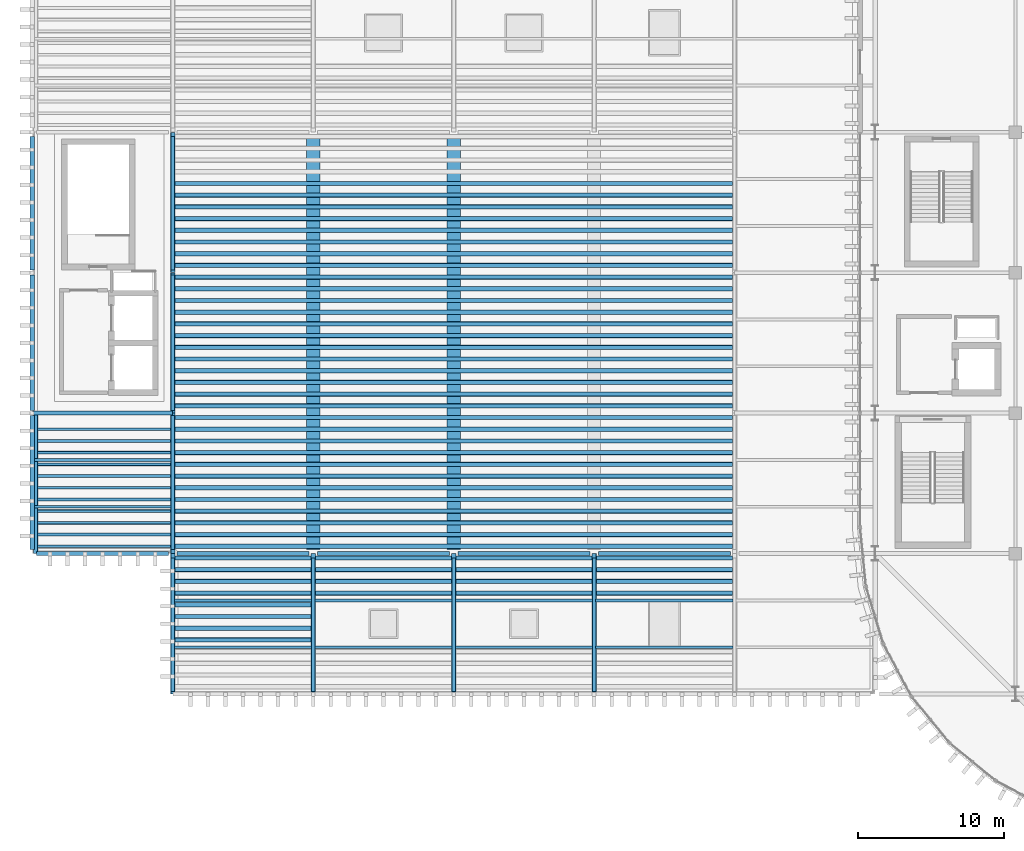
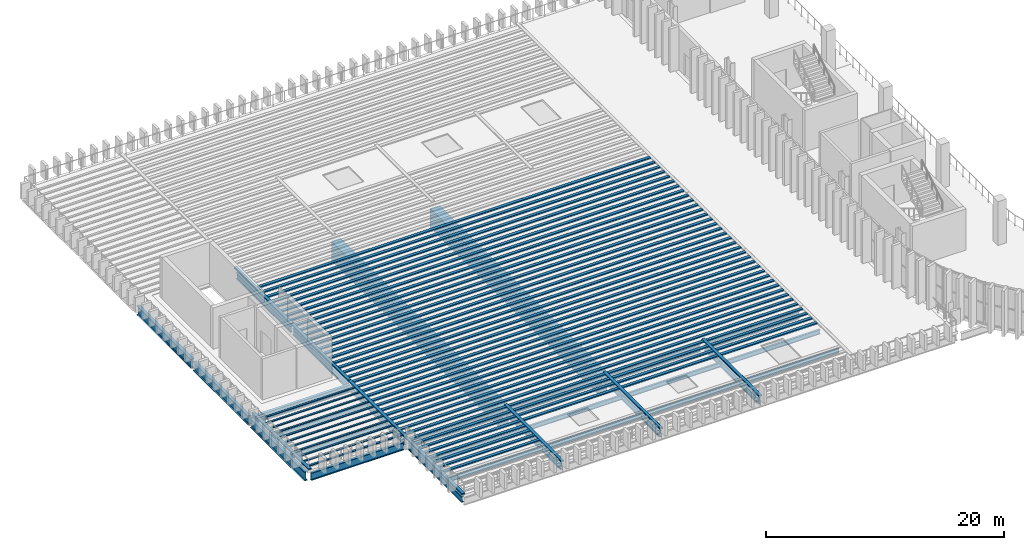
# One storey, part 8 of 92: 71 members, 28 beams.
"""IFC4 building model written with IfcOpenShell, lengths in metres."""

from ifc_helpers import new_model, si_unit, direction, frame, origin, origin_2d, place, context, subcontext, project, spatial, rectangle, hollow_rectangle, i_section, extrude, material, material_profile, profile_set, type_object, element, save


model = new_model("IFC4")

# Units and contexts
model_context = context("Model", 3, precision=1e-05, world=origin(), true_north=direction((0.0, 1.0)))
body_context = subcontext(model_context, "Body", "Model", "MODEL_VIEW")
ifc_project = project(units=[si_unit("LENGTHUNIT", "METRE"), si_unit("AREAUNIT", "SQUARE_METRE"), si_unit("VOLUMEUNIT", "CUBIC_METRE"), si_unit("PLANEANGLEUNIT", "RADIAN"), si_unit("MASSUNIT", "GRAM", prefix="KILO")], contexts=[model_context])

# Site, building, storey
site_placement = place(None, origin())
site = spatial("IfcSite", under=ifc_project, at=site_placement, CompositionType="ELEMENT")
building_placement = place(site_placement, origin())
building = spatial("IfcBuilding", under=site, at=building_placement, Name="Caelomonte Colonnade Arena", CompositionType="ELEMENT")
storey_placement = place(building_placement, frame((0.0, 0.0, 9.60009765625)))
storey = spatial("IfcBuildingStorey", under=building, at=storey_placement, Name="L02", CompositionType="ELEMENT", Elevation=9.60009765625)

# Beams
ifc_material_1 = material(Name="Wide-flange steel ASTM A992 Grade 50", Category="steel")
ifc_material_profile_1 = material_profile(ifc_material_1, i_section(OverallWidth=0.307861328125, OverallDepth=0.927001953125, WebThickness=0.019287109375, FlangeThickness=0.031982421875, FilletRadius=0.020263671875, at=origin_2d()), Name="W36X194")
ifc_profile_set_1 = profile_set([ifc_material_profile_1], Name="Wide-flange steel ASTM A992 Grade 50")
beam_type_1 = type_object("IfcBeamType", Name="STR-BM-EAVES2", PredefinedType="SPANDREL", material=ifc_profile_set_1)
beam_1_placement = place(storey_placement, frame((0.0, 38.69189453125, -0.74365234375), z_axis=(0.0, 1.0, 0.0), x_axis=(-1.0, 0.0, 0.0)))
element("IfcBeam", 1, at=beam_1_placement, inside=storey, type_object=beam_type_1, Name="L02 girder BMY-L02-0000-0384", PredefinedType="SPANDREL", context=body_context, shape_type="SweptSolid", body=[
    extrude(i_section(OverallWidth=0.307861328125, OverallDepth=0.927001953125, WebThickness=0.019287109375, FlangeThickness=0.031982421875, FilletRadius=0.020263671875, at=origin_2d()), origin(), (0.0, 0.0, 1.0), 9.137939453125),
])
beam_2_placement = place(storey_placement, frame((0.0, 48.170166015625, -0.74365234375), z_axis=(0.0, 1.0, 0.0), x_axis=(-1.0, 0.0, 0.0)))
element("IfcBeam", 2, at=beam_2_placement, inside=storey, type_object=beam_type_1, Name="L02 girder BMY-L02-0000-0480", PredefinedType="SPANDREL", context=body_context, shape_type="SweptSolid", body=[
    extrude(i_section(OverallWidth=0.307861328125, OverallDepth=0.927001953125, WebThickness=0.019287109375, FlangeThickness=0.031982421875, FilletRadius=0.020263671875, at=origin_2d()), origin(), (0.0, 0.0, 1.0), 9.259765625),
])
beam_3_placement = place(storey_placement, frame((0.0, 57.77001953125, -0.74365234375), z_axis=(0.0, 1.0, 0.0), x_axis=(-1.0, 0.0, 0.0)))
element("IfcBeam", 3, at=beam_3_placement, inside=storey, type_object=beam_type_1, Name="L02 girder BMY-L02-0000-0576", PredefinedType="SPANDREL", context=body_context, shape_type="SweptSolid", body=[
    extrude(i_section(OverallWidth=0.307861328125, OverallDepth=0.927001953125, WebThickness=0.019287109375, FlangeThickness=0.031982421875, FilletRadius=0.020263671875, at=origin_2d()), origin(), (0.0, 0.0, 1.0), 9.137939453125),
])
ifc_material_profile_2 = material_profile(ifc_material_1, i_section(OverallWidth=0.228271484375, OverallDepth=0.607177734375, WebThickness=0.01123046875, FlangeThickness=0.017333984375, FilletRadius=0.0126953125, at=origin_2d()), Name="W24X76")
ifc_profile_set_2 = profile_set([ifc_material_profile_2], Name="Wide-flange steel ASTM A992 Grade 50")
beam_type_2 = type_object("IfcBeamType", Name="STR-BM-GIRD24", PredefinedType="BEAM", material=ifc_profile_set_2)
beam_4_placement = place(storey_placement, frame((9.60009765625, 28.97021484375, -0.58349609375), z_axis=(0.0, 1.0, 0.0), x_axis=(-1.0, 0.0, 0.0)))
element("IfcBeam", 4, at=beam_4_placement, inside=storey, type_object=beam_type_2, Name="L02 girder BMY-L02-0096-0288", PredefinedType="BEAM", context=body_context, shape_type="SweptSolid", body=[
    extrude(i_section(OverallWidth=0.228271484375, OverallDepth=0.607177734375, WebThickness=0.01123046875, FlangeThickness=0.017333984375, FilletRadius=0.0126953125, at=origin_2d()), origin(), (0.0, 0.0, 1.0), 9.1376953125),
])
beam_5_placement = place(storey_placement, frame((9.60009765625, 38.69189453125, -0.58349609375), z_axis=(0.0, 1.0, 0.0), x_axis=(-1.0, 0.0, 0.0)))
element("IfcBeam", 5, at=beam_5_placement, inside=storey, type_object=beam_type_2, Name="L02 girder BMY-L02-0096-0384", PredefinedType="BEAM", context=body_context, shape_type="SweptSolid", body=[
    extrude(i_section(OverallWidth=0.228271484375, OverallDepth=0.607177734375, WebThickness=0.01123046875, FlangeThickness=0.017333984375, FilletRadius=0.0126953125, at=origin_2d()), origin(), (0.0, 0.0, 1.0), 9.137939453125),
])
beam_6_placement = place(storey_placement, frame((9.60009765625, 48.170166015625, -0.58349609375), z_axis=(0.0, 1.0, 0.0), x_axis=(-1.0, 0.0, 0.0)))
element("IfcBeam", 6, at=beam_6_placement, inside=storey, type_object=beam_type_2, Name="L02 girder BMY-L02-0096-0480", PredefinedType="BEAM", context=body_context, shape_type="SweptSolid", body=[
    extrude(i_section(OverallWidth=0.228271484375, OverallDepth=0.607177734375, WebThickness=0.01123046875, FlangeThickness=0.017333984375, FilletRadius=0.0126953125, at=origin_2d()), origin(), (0.0, 0.0, 1.0), 9.259765625),
])
beam_7_placement = place(storey_placement, frame((9.60009765625, 57.77001953125, -0.58349609375), z_axis=(0.0, 1.0, 0.0), x_axis=(-1.0, 0.0, 0.0)))
element("IfcBeam", 7, at=beam_7_placement, inside=storey, type_object=beam_type_2, Name="L02 girder BMY-L02-0096-0576", PredefinedType="BEAM", context=body_context, shape_type="SweptSolid", body=[
    extrude(i_section(OverallWidth=0.228271484375, OverallDepth=0.607177734375, WebThickness=0.01123046875, FlangeThickness=0.017333984375, FilletRadius=0.0126953125, at=origin_2d()), origin(), (0.0, 0.0, 1.0), 9.137939453125),
])
for number, where, z_axis, x_axis, name in (
    (8, (19.199951171875, 28.97021484375, -0.58349609375), (0.0, 1.0, 0.0), (-1.0, 0.0, 0.0), "L02 girder BMY-L02-0192-0288"),
    (9, (28.800048828125, 28.97021484375, -0.58349609375), (0.0, 1.0, 0.0), (-1.0, 0.0, 0.0), "L02 girder BMY-L02-0288-0288"),
    (10, (38.39990234375, 28.97021484375, -0.58349609375), (0.0, 1.0, 0.0), (-1.0, 0.0, 0.0), "L02 girder BMY-L02-0384-0288"),
):
    element("IfcBeam", number, at=place(storey_placement, frame(where, z_axis=z_axis, x_axis=x_axis)), inside=storey, type_object=beam_type_2, Name=name, PredefinedType="BEAM", context=body_context, shape_type="SweptSolid", body=[
        extrude(i_section(OverallWidth=0.228271484375, OverallDepth=0.607177734375, WebThickness=0.01123046875, FlangeThickness=0.017333984375, FilletRadius=0.0126953125, at=origin_2d()), origin(), (0.0, 0.0, 1.0), 9.1376953125),
    ])
ifc_material_profile_3 = material_profile(ifc_material_1, i_section(OverallWidth=0.2666015625, OverallDepth=0.761962890625, WebThickness=0.014404296875, FlangeThickness=0.021484375, FilletRadius=0.0166015625, at=origin_2d()), Name="W30X116")
ifc_profile_set_3 = profile_set([ifc_material_profile_3], Name="Wide-flange steel ASTM A992 Grade 50")
beam_type_3 = type_object("IfcBeamType", Name="STR-BM-GIRD30", PredefinedType="BEAM", material=ifc_profile_set_3)
beam_8_placement = place(storey_placement, frame((0.2919921875, 38.39990234375, -0.6611328125), z_axis=(1.0, 0.0, 0.0), x_axis=(0.0, 1.0, 0.0)))
element("IfcBeam", 11, at=beam_8_placement, inside=storey, type_object=beam_type_3, Name="L02 girder BMX-L02-0000-0384", PredefinedType="BEAM", context=body_context, shape_type="SweptSolid", body=[
    extrude(i_section(OverallWidth=0.2666015625, OverallDepth=0.761962890625, WebThickness=0.014404296875, FlangeThickness=0.021484375, FilletRadius=0.0166015625, at=origin_2d()), origin(), (0.0, 0.0, 1.0), 9.01611328125),
])
beam_9_placement = place(storey_placement, frame((9.89208984375, 38.39990234375, -0.6611328125), z_axis=(1.0, 0.0, 0.0), x_axis=(0.0, 1.0, 0.0)))
element("IfcBeam", 12, at=beam_9_placement, inside=storey, type_object=beam_type_3, Name="L02 girder BMX-L02-0096-0384", PredefinedType="BEAM", context=body_context, shape_type="SweptSolid", body=[
    extrude(i_section(OverallWidth=0.2666015625, OverallDepth=0.761962890625, WebThickness=0.014404296875, FlangeThickness=0.021484375, FilletRadius=0.0166015625, at=origin_2d()), origin(), (0.0, 0.0, 1.0), 9.015869140625),
])
beam_10_placement = place(storey_placement, frame((19.491943359375, 38.39990234375, -0.6611328125), z_axis=(1.0, 0.0, 0.0), x_axis=(0.0, 1.0, 0.0)))
element("IfcBeam", 13, at=beam_10_placement, inside=storey, type_object=beam_type_3, Name="L02 girder BMX-L02-0192-0384", PredefinedType="BEAM", context=body_context, shape_type="SweptSolid", body=[
    extrude(i_section(OverallWidth=0.2666015625, OverallDepth=0.761962890625, WebThickness=0.014404296875, FlangeThickness=0.021484375, FilletRadius=0.0166015625, at=origin_2d()), origin(), (0.0, 0.0, 1.0), 9.01611328125),
])
beam_11_placement = place(storey_placement, frame((29.092041015625, 38.39990234375, -0.6611328125), z_axis=(1.0, 0.0, 0.0), x_axis=(0.0, 1.0, 0.0)))
element("IfcBeam", 14, at=beam_11_placement, inside=storey, type_object=beam_type_3, Name="L02 girder BMX-L02-0288-0384", PredefinedType="BEAM", context=body_context, shape_type="SweptSolid", body=[
    extrude(i_section(OverallWidth=0.2666015625, OverallDepth=0.761962890625, WebThickness=0.014404296875, FlangeThickness=0.021484375, FilletRadius=0.0166015625, at=origin_2d()), origin(), (0.0, 0.0, 1.0), 9.015869140625),
])
beam_12_placement = place(storey_placement, frame((38.69189453125, 38.39990234375, -0.6611328125), z_axis=(1.0, 0.0, 0.0), x_axis=(0.0, 1.0, 0.0)))
element("IfcBeam", 15, at=beam_12_placement, inside=storey, type_object=beam_type_3, Name="L02 girder BMX-L02-0384-0384", PredefinedType="BEAM", context=body_context, shape_type="SweptSolid", body=[
    extrude(i_section(OverallWidth=0.2666015625, OverallDepth=0.761962890625, WebThickness=0.014404296875, FlangeThickness=0.021484375, FilletRadius=0.0166015625, at=origin_2d()), origin(), (0.0, 0.0, 1.0), 9.01611328125),
])
beam_13_placement = place(storey_placement, frame((0.005615234375, 48.0, -0.6611328125), z_axis=(1.0, 0.0, 0.0), x_axis=(0.0, 1.0, 0.0)))
element("IfcBeam", 16, at=beam_13_placement, inside=storey, type_object=beam_type_3, Name="L02 girder BMX-L02-0000-0480", PredefinedType="BEAM", context=body_context, shape_type="SweptSolid", body=[
    extrude(i_section(OverallWidth=0.2666015625, OverallDepth=0.761962890625, WebThickness=0.014404296875, FlangeThickness=0.021484375, FilletRadius=0.0166015625, at=origin_2d()), origin(), (0.0, 0.0, 1.0), 9.5888671875),
])
ifc_material_profile_4 = material_profile(ifc_material_1, i_section(OverallWidth=0.1904296875, OverallDepth=0.457275390625, WebThickness=0.009033203125, FlangeThickness=0.014404296875, FilletRadius=0.01025390625, at=origin_2d()), Name="W18X50")
ifc_profile_set_4 = profile_set([ifc_material_profile_4], Name="Wide-flange steel ASTM A992 Grade 50")
beam_type_4 = type_object("IfcBeamType", Name="STR-BM-JOIST18", PredefinedType="JOIST", material=ifc_profile_set_4)
for number, where, z_axis, x_axis, name in (
    (17, (0.14892578125, 41.60009765625, -0.5087890625), (1.0, 0.0, 0.0), (0.0, 1.0, 0.0), "L02 secondary joist 1"),
    (18, (0.14892578125, 44.800048828125, -0.5087890625), (1.0, 0.0, 0.0), (0.0, 1.0, 0.0), "L02 secondary joist 2"),
):
    element("IfcBeam", number, at=place(storey_placement, frame(where, z_axis=z_axis, x_axis=x_axis)), inside=storey, type_object=beam_type_4, Name=name, PredefinedType="JOIST", context=body_context, shape_type="SweptSolid", body=[
        extrude(i_section(OverallWidth=0.1904296875, OverallDepth=0.457275390625, WebThickness=0.009033203125, FlangeThickness=0.014404296875, FilletRadius=0.01025390625, at=origin_2d()), origin(), (0.0, 0.0, 1.0), 9.342041015625),
    ])
for number, where, z_axis, x_axis, name in (
    (19, (9.708984375, 32.0, -0.5087890625), (1.0, 0.0, 0.0), (0.0, 1.0, 0.0), "L02 secondary joist 1"),
    (20, (9.708984375, 35.199951171875, -0.5087890625), (1.0, 0.0, 0.0), (0.0, 1.0, 0.0), "L02 secondary joist 2"),
    (21, (19.30908203125, 32.0, -0.5087890625), (1.0, 0.0, 0.0), (0.0, 1.0, 0.0), "L02 secondary joist 1"),
    (22, (19.30908203125, 35.199951171875, -0.5087890625), (1.0, 0.0, 0.0), (0.0, 1.0, 0.0), "L02 secondary joist 2"),
):
    element("IfcBeam", number, at=place(storey_placement, frame(where, z_axis=z_axis, x_axis=x_axis)), inside=storey, type_object=beam_type_4, Name=name, PredefinedType="JOIST", context=body_context, shape_type="SweptSolid", body=[
        extrude(i_section(OverallWidth=0.1904296875, OverallDepth=0.457275390625, WebThickness=0.009033203125, FlangeThickness=0.014404296875, FilletRadius=0.01025390625, at=origin_2d()), origin(), (0.0, 0.0, 1.0), 9.3818359375),
    ])
for number, where, z_axis, x_axis, name in (
    (23, (28.9091796875, 32.0, -0.5087890625), (1.0, 0.0, 0.0), (0.0, 1.0, 0.0), "L02 secondary joist 1"),
    (24, (28.9091796875, 35.199951171875, -0.5087890625), (1.0, 0.0, 0.0), (0.0, 1.0, 0.0), "L02 secondary joist 2"),
):
    element("IfcBeam", number, at=place(storey_placement, frame(where, z_axis=z_axis, x_axis=x_axis)), inside=storey, type_object=beam_type_4, Name=name, PredefinedType="JOIST", context=body_context, shape_type="SweptSolid", body=[
        extrude(i_section(OverallWidth=0.1904296875, OverallDepth=0.457275390625, WebThickness=0.009033203125, FlangeThickness=0.014404296875, FilletRadius=0.01025390625, at=origin_2d()), origin(), (0.0, 0.0, 1.0), 9.381591796875),
    ])
for number, where, z_axis, x_axis, name in (
    (25, (38.509033203125, 32.0, -0.5087890625), (1.0, 0.0, 0.0), (0.0, 1.0, 0.0), "L02 secondary joist 1"),
    (26, (38.509033203125, 35.199951171875, -0.5087890625), (1.0, 0.0, 0.0), (0.0, 1.0, 0.0), "L02 secondary joist 2"),
):
    element("IfcBeam", number, at=place(storey_placement, frame(where, z_axis=z_axis, x_axis=x_axis)), inside=storey, type_object=beam_type_4, Name=name, PredefinedType="JOIST", context=body_context, shape_type="SweptSolid", body=[
        extrude(i_section(OverallWidth=0.1904296875, OverallDepth=0.457275390625, WebThickness=0.009033203125, FlangeThickness=0.014404296875, FilletRadius=0.01025390625, at=origin_2d()), origin(), (0.0, 0.0, 1.0), 9.3818359375),
    ])
ifc_material_2 = material(Name="Concrete C50/60", Category="concrete")
ifc_material_profile_5 = material_profile(ifc_material_2, rectangle(XDim=0.89990234375, YDim=2.0, at=origin_2d()), Name="RC900X2000")
ifc_profile_set_5 = profile_set([ifc_material_profile_5], Name="Concrete C50/60")
beam_type_5 = type_object("IfcBeamType", Name="STR-BM-TG20", PredefinedType="USERDEFINED", material=ifc_profile_set_5)
for number, where, z_axis, x_axis, name in (
    (27, (19.199951171875, 38.69189453125, -1.280029296875), (0.0, 1.0, 0.0), (-1.0, 0.0, 0.0), "L02 Transfer Girder BMY-L02-0192-0384"),
    (28, (28.800048828125, 38.69189453125, -1.280029296875), (0.0, 1.0, 0.0), (-1.0, 0.0, 0.0), "L02 Transfer Girder BMY-L02-0288-0384"),
):
    element("IfcBeam", number, at=place(storey_placement, frame(where, z_axis=z_axis, x_axis=x_axis)), inside=storey, type_object=beam_type_5, Name=name, ObjectType="TRANSFER GIRDER", PredefinedType="USERDEFINED", context=body_context, shape_type="SweptSolid", body=[
        extrude(rectangle(XDim=0.89990234375, YDim=2.0, at=origin_2d()), origin(), (0.0, 0.0, 1.0), 28.216064453125),
    ])

# Members
ifc_material_3 = material(Name="Steel ASTM A500 Grade C", Category="steel")
ifc_material_profile_6 = material_profile(ifc_material_3, hollow_rectangle(XDim=0.300048828125, YDim=0.14990234375, WallThickness=0.008056640625, InnerFilletRadius=0.008056640625, OuterFilletRadius=0.01611328125, at=origin_2d()), Name="HSS300X150X8")
ifc_profile_set_6 = profile_set([ifc_material_profile_6], Name="Steel ASTM A500 Grade C")
member_type_1 = type_object("IfcMemberType", Name="STR-LW-PAR1", PredefinedType="STRUT", material=ifc_profile_set_6)
for number, where, z_axis, x_axis, name in (
    (29, (0.219970703125, 38.404052734375, 0.074951171875), (0.0, 1.0, 0.0), (-1.0, 0.0, 0.0), "Planted lawn parterre planter header HDR-W1"),
    (30, (9.60009765625, 28.803955078125, 0.074951171875), (0.0, 1.0, 0.0), (-1.0, 0.0, 0.0), "Planted lawn parterre planter header HDR-C1"),
    (31, (9.60009765625, 38.404052734375, 0.074951171875), (0.0, 1.0, 0.0), (-1.0, 0.0, 0.0), "Planted lawn parterre planter header HDR-C2"),
    (32, (9.60009765625, 48.00390625, 0.074951171875), (0.0, 1.0, 0.0), (-1.0, 0.0, 0.0), "Planted lawn parterre planter header HDR-C3"),
    (33, (9.60009765625, 57.60400390625, 0.074951171875), (0.0, 1.0, 0.0), (-1.0, 0.0, 0.0), "Planted lawn parterre planter header HDR-C4"),
    (34, (19.199951171875, 28.803955078125, 0.074951171875), (0.0, 1.0, 0.0), (-1.0, 0.0, 0.0), "Planted lawn parterre planter header HDR-S1"),
    (35, (28.800048828125, 28.803955078125, 0.074951171875), (0.0, 1.0, 0.0), (-1.0, 0.0, 0.0), "Planted lawn parterre planter header HDR-S2"),
    (36, (38.39990234375, 28.803955078125, 0.074951171875), (0.0, 1.0, 0.0), (-1.0, 0.0, 0.0), "Planted lawn parterre planter header HDR-S3"),
):
    element("IfcMember", number, at=place(storey_placement, frame(where, z_axis=z_axis, x_axis=x_axis)), inside=storey, type_object=member_type_1, Name=name, PredefinedType="STRUT", context=body_context, shape_type="SweptSolid", body=[
        extrude(hollow_rectangle(XDim=0.300048828125, YDim=0.14990234375, WallThickness=0.008056640625, InnerFilletRadius=0.008056640625, OuterFilletRadius=0.01611328125, at=origin_2d()), origin(), (0.0, 0.0, 1.0), 9.592041015625),
    ])
for number, where, z_axis, x_axis, name in (
    (37, (9.74609375, 32.5, 0.074951171875), (1.0, 0.0, 0.0), (0.0, 1.0, 0.0), "Planted lawn parterre planter bar 17"),
    (38, (9.74609375, 33.300048828125, 0.074951171875), (1.0, 0.0, 0.0), (0.0, 1.0, 0.0), "Planted lawn parterre planter bar 18"),
    (39, (9.74609375, 34.10009765625, 0.074951171875), (1.0, 0.0, 0.0), (0.0, 1.0, 0.0), "Planted lawn parterre planter bar 19"),
    (40, (9.74609375, 34.89990234375, 0.074951171875), (1.0, 0.0, 0.0), (0.0, 1.0, 0.0), "Planted lawn parterre planter bar 20"),
    (41, (9.74609375, 35.699951171875, 0.074951171875), (1.0, 0.0, 0.0), (0.0, 1.0, 0.0), "Planted lawn parterre planter bar 21"),
):
    element("IfcMember", number, at=place(storey_placement, frame(where, z_axis=z_axis, x_axis=x_axis)), inside=storey, type_object=member_type_1, Name=name, PredefinedType="STRUT", context=body_context, shape_type="SweptSolid", body=[
        extrude(hollow_rectangle(XDim=0.300048828125, YDim=0.14990234375, WallThickness=0.008056640625, InnerFilletRadius=0.008056640625, OuterFilletRadius=0.01611328125, at=origin_2d()), origin(), (0.0, 0.0, 1.0), 9.307861328125),
    ])
member_1_placement = place(storey_placement, frame((19.345947265625, 35.699951171875, 0.074951171875), z_axis=(1.0, 0.0, 0.0), x_axis=(0.0, 1.0, 0.0)))
element("IfcMember", 42, at=member_1_placement, inside=storey, type_object=member_type_1, Name="Planted lawn parterre planter bar 22", PredefinedType="STRUT", context=body_context, shape_type="SweptSolid", body=[
    extrude(hollow_rectangle(XDim=0.300048828125, YDim=0.14990234375, WallThickness=0.008056640625, InnerFilletRadius=0.008056640625, OuterFilletRadius=0.01611328125, at=origin_2d()), origin(), (0.0, 0.0, 1.0), 9.30810546875),
])
member_2_placement = place(storey_placement, frame((28.946044921875, 35.699951171875, 0.074951171875), z_axis=(1.0, 0.0, 0.0), x_axis=(0.0, 1.0, 0.0)))
element("IfcMember", 43, at=member_2_placement, inside=storey, type_object=member_type_1, Name="Planted lawn parterre planter bar 23", PredefinedType="STRUT", context=body_context, shape_type="SweptSolid", body=[
    extrude(hollow_rectangle(XDim=0.300048828125, YDim=0.14990234375, WallThickness=0.008056640625, InnerFilletRadius=0.008056640625, OuterFilletRadius=0.01611328125, at=origin_2d()), origin(), (0.0, 0.0, 1.0), 9.307861328125),
])
member_3_placement = place(storey_placement, frame((38.5458984375, 35.699951171875, 0.074951171875), z_axis=(1.0, 0.0, 0.0), x_axis=(0.0, 1.0, 0.0)))
element("IfcMember", 44, at=member_3_placement, inside=storey, type_object=member_type_1, Name="Planted lawn parterre planter bar 24", PredefinedType="STRUT", context=body_context, shape_type="SweptSolid", body=[
    extrude(hollow_rectangle(XDim=0.300048828125, YDim=0.14990234375, WallThickness=0.008056640625, InnerFilletRadius=0.008056640625, OuterFilletRadius=0.01611328125, at=origin_2d()), origin(), (0.0, 0.0, 1.0), 9.30810546875),
])
member_4_placement = place(storey_placement, frame((9.74609375, 36.5, 0.074951171875), z_axis=(1.0, 0.0, 0.0), x_axis=(0.0, 1.0, 0.0)))
element("IfcMember", 45, at=member_4_placement, inside=storey, type_object=member_type_1, Name="Planted lawn parterre planter bar 25", PredefinedType="STRUT", context=body_context, shape_type="SweptSolid", body=[
    extrude(hollow_rectangle(XDim=0.300048828125, YDim=0.14990234375, WallThickness=0.008056640625, InnerFilletRadius=0.008056640625, OuterFilletRadius=0.01611328125, at=origin_2d()), origin(), (0.0, 0.0, 1.0), 9.307861328125),
])
member_5_placement = place(storey_placement, frame((19.345947265625, 36.5, 0.074951171875), z_axis=(1.0, 0.0, 0.0), x_axis=(0.0, 1.0, 0.0)))
element("IfcMember", 46, at=member_5_placement, inside=storey, type_object=member_type_1, Name="Planted lawn parterre planter bar 26", PredefinedType="STRUT", context=body_context, shape_type="SweptSolid", body=[
    extrude(hollow_rectangle(XDim=0.300048828125, YDim=0.14990234375, WallThickness=0.008056640625, InnerFilletRadius=0.008056640625, OuterFilletRadius=0.01611328125, at=origin_2d()), origin(), (0.0, 0.0, 1.0), 9.30810546875),
])
member_6_placement = place(storey_placement, frame((28.946044921875, 36.5, 0.074951171875), z_axis=(1.0, 0.0, 0.0), x_axis=(0.0, 1.0, 0.0)))
element("IfcMember", 47, at=member_6_placement, inside=storey, type_object=member_type_1, Name="Planted lawn parterre planter bar 27", PredefinedType="STRUT", context=body_context, shape_type="SweptSolid", body=[
    extrude(hollow_rectangle(XDim=0.300048828125, YDim=0.14990234375, WallThickness=0.008056640625, InnerFilletRadius=0.008056640625, OuterFilletRadius=0.01611328125, at=origin_2d()), origin(), (0.0, 0.0, 1.0), 9.307861328125),
])
member_7_placement = place(storey_placement, frame((38.5458984375, 36.5, 0.074951171875), z_axis=(1.0, 0.0, 0.0), x_axis=(0.0, 1.0, 0.0)))
element("IfcMember", 48, at=member_7_placement, inside=storey, type_object=member_type_1, Name="Planted lawn parterre planter bar 28", PredefinedType="STRUT", context=body_context, shape_type="SweptSolid", body=[
    extrude(hollow_rectangle(XDim=0.300048828125, YDim=0.14990234375, WallThickness=0.008056640625, InnerFilletRadius=0.008056640625, OuterFilletRadius=0.01611328125, at=origin_2d()), origin(), (0.0, 0.0, 1.0), 9.30810546875),
])
member_8_placement = place(storey_placement, frame((9.74609375, 37.300048828125, 0.074951171875), z_axis=(1.0, 0.0, 0.0), x_axis=(0.0, 1.0, 0.0)))
element("IfcMember", 49, at=member_8_placement, inside=storey, type_object=member_type_1, Name="Planted lawn parterre planter bar 29", PredefinedType="STRUT", context=body_context, shape_type="SweptSolid", body=[
    extrude(hollow_rectangle(XDim=0.300048828125, YDim=0.14990234375, WallThickness=0.008056640625, InnerFilletRadius=0.008056640625, OuterFilletRadius=0.01611328125, at=origin_2d()), origin(), (0.0, 0.0, 1.0), 9.307861328125),
])
member_9_placement = place(storey_placement, frame((19.345947265625, 37.300048828125, 0.074951171875), z_axis=(1.0, 0.0, 0.0), x_axis=(0.0, 1.0, 0.0)))
element("IfcMember", 50, at=member_9_placement, inside=storey, type_object=member_type_1, Name="Planted lawn parterre planter bar 30", PredefinedType="STRUT", context=body_context, shape_type="SweptSolid", body=[
    extrude(hollow_rectangle(XDim=0.300048828125, YDim=0.14990234375, WallThickness=0.008056640625, InnerFilletRadius=0.008056640625, OuterFilletRadius=0.01611328125, at=origin_2d()), origin(), (0.0, 0.0, 1.0), 9.30810546875),
])
member_10_placement = place(storey_placement, frame((28.946044921875, 37.300048828125, 0.074951171875), z_axis=(1.0, 0.0, 0.0), x_axis=(0.0, 1.0, 0.0)))
element("IfcMember", 51, at=member_10_placement, inside=storey, type_object=member_type_1, Name="Planted lawn parterre planter bar 31", PredefinedType="STRUT", context=body_context, shape_type="SweptSolid", body=[
    extrude(hollow_rectangle(XDim=0.300048828125, YDim=0.14990234375, WallThickness=0.008056640625, InnerFilletRadius=0.008056640625, OuterFilletRadius=0.01611328125, at=origin_2d()), origin(), (0.0, 0.0, 1.0), 9.307861328125),
])
member_11_placement = place(storey_placement, frame((38.5458984375, 37.300048828125, 0.074951171875), z_axis=(1.0, 0.0, 0.0), x_axis=(0.0, 1.0, 0.0)))
element("IfcMember", 52, at=member_11_placement, inside=storey, type_object=member_type_1, Name="Planted lawn parterre planter bar 32", PredefinedType="STRUT", context=body_context, shape_type="SweptSolid", body=[
    extrude(hollow_rectangle(XDim=0.300048828125, YDim=0.14990234375, WallThickness=0.008056640625, InnerFilletRadius=0.008056640625, OuterFilletRadius=0.01611328125, at=origin_2d()), origin(), (0.0, 0.0, 1.0), 9.30810546875),
])
member_12_placement = place(storey_placement, frame((9.74609375, 38.10009765625, 0.074951171875), z_axis=(1.0, 0.0, 0.0), x_axis=(0.0, 1.0, 0.0)))
element("IfcMember", 53, at=member_12_placement, inside=storey, type_object=member_type_1, Name="Planted lawn parterre planter bar 33", PredefinedType="STRUT", context=body_context, shape_type="SweptSolid", body=[
    extrude(hollow_rectangle(XDim=0.300048828125, YDim=0.14990234375, WallThickness=0.008056640625, InnerFilletRadius=0.008056640625, OuterFilletRadius=0.01611328125, at=origin_2d()), origin(), (0.0, 0.0, 1.0), 9.307861328125),
])
member_13_placement = place(storey_placement, frame((19.345947265625, 38.10009765625, 0.074951171875), z_axis=(1.0, 0.0, 0.0), x_axis=(0.0, 1.0, 0.0)))
element("IfcMember", 54, at=member_13_placement, inside=storey, type_object=member_type_1, Name="Planted lawn parterre planter bar 34", PredefinedType="STRUT", context=body_context, shape_type="SweptSolid", body=[
    extrude(hollow_rectangle(XDim=0.300048828125, YDim=0.14990234375, WallThickness=0.008056640625, InnerFilletRadius=0.008056640625, OuterFilletRadius=0.01611328125, at=origin_2d()), origin(), (0.0, 0.0, 1.0), 9.30810546875),
])
member_14_placement = place(storey_placement, frame((28.946044921875, 38.10009765625, 0.074951171875), z_axis=(1.0, 0.0, 0.0), x_axis=(0.0, 1.0, 0.0)))
element("IfcMember", 55, at=member_14_placement, inside=storey, type_object=member_type_1, Name="Planted lawn parterre planter bar 35", PredefinedType="STRUT", context=body_context, shape_type="SweptSolid", body=[
    extrude(hollow_rectangle(XDim=0.300048828125, YDim=0.14990234375, WallThickness=0.008056640625, InnerFilletRadius=0.008056640625, OuterFilletRadius=0.01611328125, at=origin_2d()), origin(), (0.0, 0.0, 1.0), 9.307861328125),
])
member_15_placement = place(storey_placement, frame((38.5458984375, 38.10009765625, 0.074951171875), z_axis=(1.0, 0.0, 0.0), x_axis=(0.0, 1.0, 0.0)))
element("IfcMember", 56, at=member_15_placement, inside=storey, type_object=member_type_1, Name="Planted lawn parterre planter bar 36", PredefinedType="STRUT", context=body_context, shape_type="SweptSolid", body=[
    extrude(hollow_rectangle(XDim=0.300048828125, YDim=0.14990234375, WallThickness=0.008056640625, InnerFilletRadius=0.008056640625, OuterFilletRadius=0.01611328125, at=origin_2d()), origin(), (0.0, 0.0, 1.0), 9.30810546875),
])
for number, where, z_axis, x_axis, name in (
    (57, (9.74609375, 38.89990234375, 0.074951171875), (1.0, 0.0, 0.0), (0.0, 1.0, 0.0), "Planted lawn parterre planter bar 38"),
    (58, (9.74609375, 39.699951171875, 0.074951171875), (1.0, 0.0, 0.0), (0.0, 1.0, 0.0), "Planted lawn parterre planter bar 40"),
    (59, (9.74609375, 40.5, 0.074951171875), (1.0, 0.0, 0.0), (0.0, 1.0, 0.0), "Planted lawn parterre planter bar 42"),
    (60, (9.74609375, 41.300048828125, 0.074951171875), (1.0, 0.0, 0.0), (0.0, 1.0, 0.0), "Planted lawn parterre planter bar 44"),
    (61, (9.74609375, 42.10009765625, 0.074951171875), (1.0, 0.0, 0.0), (0.0, 1.0, 0.0), "Planted lawn parterre planter bar 46"),
    (62, (9.74609375, 42.89990234375, 0.074951171875), (1.0, 0.0, 0.0), (0.0, 1.0, 0.0), "Planted lawn parterre planter bar 48"),
    (63, (9.74609375, 43.699951171875, 0.074951171875), (1.0, 0.0, 0.0), (0.0, 1.0, 0.0), "Planted lawn parterre planter bar 50"),
    (64, (9.74609375, 44.5, 0.074951171875), (1.0, 0.0, 0.0), (0.0, 1.0, 0.0), "Planted lawn parterre planter bar 52"),
    (65, (9.74609375, 45.300048828125, 0.074951171875), (1.0, 0.0, 0.0), (0.0, 1.0, 0.0), "Planted lawn parterre planter bar 54"),
    (66, (9.74609375, 46.10009765625, 0.074951171875), (1.0, 0.0, 0.0), (0.0, 1.0, 0.0), "Planted lawn parterre planter bar 56"),
    (67, (9.74609375, 46.89990234375, 0.074951171875), (1.0, 0.0, 0.0), (0.0, 1.0, 0.0), "Planted lawn parterre planter bar 58"),
    (68, (9.74609375, 47.699951171875, 0.074951171875), (1.0, 0.0, 0.0), (0.0, 1.0, 0.0), "Planted lawn parterre planter bar 59"),
    (69, (9.74609375, 48.5, 0.074951171875), (1.0, 0.0, 0.0), (0.0, 1.0, 0.0), "Planted lawn parterre planter bar 60"),
    (70, (9.74609375, 49.300048828125, 0.074951171875), (1.0, 0.0, 0.0), (0.0, 1.0, 0.0), "Planted lawn parterre planter bar 61"),
    (71, (9.74609375, 50.10009765625, 0.074951171875), (1.0, 0.0, 0.0), (0.0, 1.0, 0.0), "Planted lawn parterre planter bar 62"),
    (72, (9.74609375, 50.89990234375, 0.074951171875), (1.0, 0.0, 0.0), (0.0, 1.0, 0.0), "Planted lawn parterre planter bar 63"),
    (73, (9.74609375, 51.699951171875, 0.074951171875), (1.0, 0.0, 0.0), (0.0, 1.0, 0.0), "Planted lawn parterre planter bar 64"),
    (74, (9.74609375, 52.5, 0.074951171875), (1.0, 0.0, 0.0), (0.0, 1.0, 0.0), "Planted lawn parterre planter bar 65"),
    (75, (9.74609375, 53.300048828125, 0.074951171875), (1.0, 0.0, 0.0), (0.0, 1.0, 0.0), "Planted lawn parterre planter bar 66"),
    (76, (9.74609375, 54.10009765625, 0.074951171875), (1.0, 0.0, 0.0), (0.0, 1.0, 0.0), "Planted lawn parterre planter bar 67"),
    (77, (9.74609375, 54.89990234375, 0.074951171875), (1.0, 0.0, 0.0), (0.0, 1.0, 0.0), "Planted lawn parterre planter bar 68"),
    (78, (9.74609375, 55.699951171875, 0.074951171875), (1.0, 0.0, 0.0), (0.0, 1.0, 0.0), "Planted lawn parterre planter bar 69"),
    (79, (9.74609375, 56.5, 0.074951171875), (1.0, 0.0, 0.0), (0.0, 1.0, 0.0), "Planted lawn parterre planter bar 70"),
    (80, (9.74609375, 57.300048828125, 0.074951171875), (1.0, 0.0, 0.0), (0.0, 1.0, 0.0), "Planted lawn parterre planter bar 71"),
    (81, (9.74609375, 58.10009765625, 0.074951171875), (1.0, 0.0, 0.0), (0.0, 1.0, 0.0), "Planted lawn parterre planter bar 72"),
    (82, (9.74609375, 58.89990234375, 0.074951171875), (1.0, 0.0, 0.0), (0.0, 1.0, 0.0), "Planted lawn parterre planter bar 73"),
    (83, (9.74609375, 59.699951171875, 0.074951171875), (1.0, 0.0, 0.0), (0.0, 1.0, 0.0), "Planted lawn parterre planter bar 74"),
    (84, (9.74609375, 60.5, 0.074951171875), (1.0, 0.0, 0.0), (0.0, 1.0, 0.0), "Planted lawn parterre planter bar 75"),
    (85, (9.74609375, 61.300048828125, 0.074951171875), (1.0, 0.0, 0.0), (0.0, 1.0, 0.0), "Planted lawn parterre planter bar 76"),
    (86, (9.74609375, 62.10009765625, 0.074951171875), (1.0, 0.0, 0.0), (0.0, 1.0, 0.0), "Planted lawn parterre planter bar 77"),
    (87, (9.74609375, 62.89990234375, 0.074951171875), (1.0, 0.0, 0.0), (0.0, 1.0, 0.0), "Planted lawn parterre planter bar 78"),
    (88, (9.74609375, 63.699951171875, 0.074951171875), (1.0, 0.0, 0.0), (0.0, 1.0, 0.0), "Planted lawn parterre planter bar 79"),
):
    element("IfcMember", number, at=place(storey_placement, frame(where, z_axis=z_axis, x_axis=x_axis)), inside=storey, type_object=member_type_1, Name=name, PredefinedType="STRUT", context=body_context, shape_type="SweptSolid", body=[
        extrude(hollow_rectangle(XDim=0.300048828125, YDim=0.14990234375, WallThickness=0.008056640625, InnerFilletRadius=0.008056640625, OuterFilletRadius=0.01611328125, at=origin_2d()), origin(), (0.0, 0.0, 1.0), 38.10791015625),
    ])
ifc_material_profile_7 = material_profile(ifc_material_3, hollow_rectangle(XDim=0.199951171875, YDim=0.10009765625, WallThickness=0.008056640625, InnerFilletRadius=0.008056640625, OuterFilletRadius=0.01611328125, at=origin_2d()), Name="HSS200X100X8")
ifc_profile_set_7 = profile_set([ifc_material_profile_7], Name="Steel ASTM A500 Grade C")
member_type_2 = type_object("IfcMemberType", Name="STR-LW-PAR2", PredefinedType="STRUT", material=ifc_profile_set_7)
for number, where, z_axis, x_axis, name in (
    (89, (0.365966796875, 38.89990234375, 0.074951171875), (1.0, 0.0, 0.0), (0.0, 1.0, 0.0), "Planted lawn parterre planter bar 37"),
    (90, (0.365966796875, 39.699951171875, 0.074951171875), (1.0, 0.0, 0.0), (0.0, 1.0, 0.0), "Planted lawn parterre planter bar 39"),
    (91, (0.365966796875, 40.5, 0.074951171875), (1.0, 0.0, 0.0), (0.0, 1.0, 0.0), "Planted lawn parterre planter bar 41"),
    (92, (0.365966796875, 41.300048828125, 0.074951171875), (1.0, 0.0, 0.0), (0.0, 1.0, 0.0), "Planted lawn parterre planter bar 43"),
    (93, (0.365966796875, 42.10009765625, 0.074951171875), (1.0, 0.0, 0.0), (0.0, 1.0, 0.0), "Planted lawn parterre planter bar 45"),
    (94, (0.365966796875, 42.89990234375, 0.074951171875), (1.0, 0.0, 0.0), (0.0, 1.0, 0.0), "Planted lawn parterre planter bar 47"),
    (95, (0.365966796875, 43.699951171875, 0.074951171875), (1.0, 0.0, 0.0), (0.0, 1.0, 0.0), "Planted lawn parterre planter bar 49"),
    (96, (0.365966796875, 44.5, 0.074951171875), (1.0, 0.0, 0.0), (0.0, 1.0, 0.0), "Planted lawn parterre planter bar 51"),
    (97, (0.365966796875, 45.300048828125, 0.074951171875), (1.0, 0.0, 0.0), (0.0, 1.0, 0.0), "Planted lawn parterre planter bar 53"),
    (98, (0.365966796875, 46.10009765625, 0.074951171875), (1.0, 0.0, 0.0), (0.0, 1.0, 0.0), "Planted lawn parterre planter bar 55"),
    (99, (0.365966796875, 46.89990234375, 0.074951171875), (1.0, 0.0, 0.0), (0.0, 1.0, 0.0), "Planted lawn parterre planter bar 57"),
):
    element("IfcMember", number, at=place(storey_placement, frame(where, z_axis=z_axis, x_axis=x_axis)), inside=storey, type_object=member_type_2, Name=name, PredefinedType="STRUT", context=body_context, shape_type="SweptSolid", body=[
        extrude(hollow_rectangle(XDim=0.199951171875, YDim=0.10009765625, WallThickness=0.008056640625, InnerFilletRadius=0.008056640625, OuterFilletRadius=0.01611328125, at=origin_2d()), origin(), (0.0, 0.0, 1.0), 9.088134765625),
    ])

save(model, "model.ifc")
